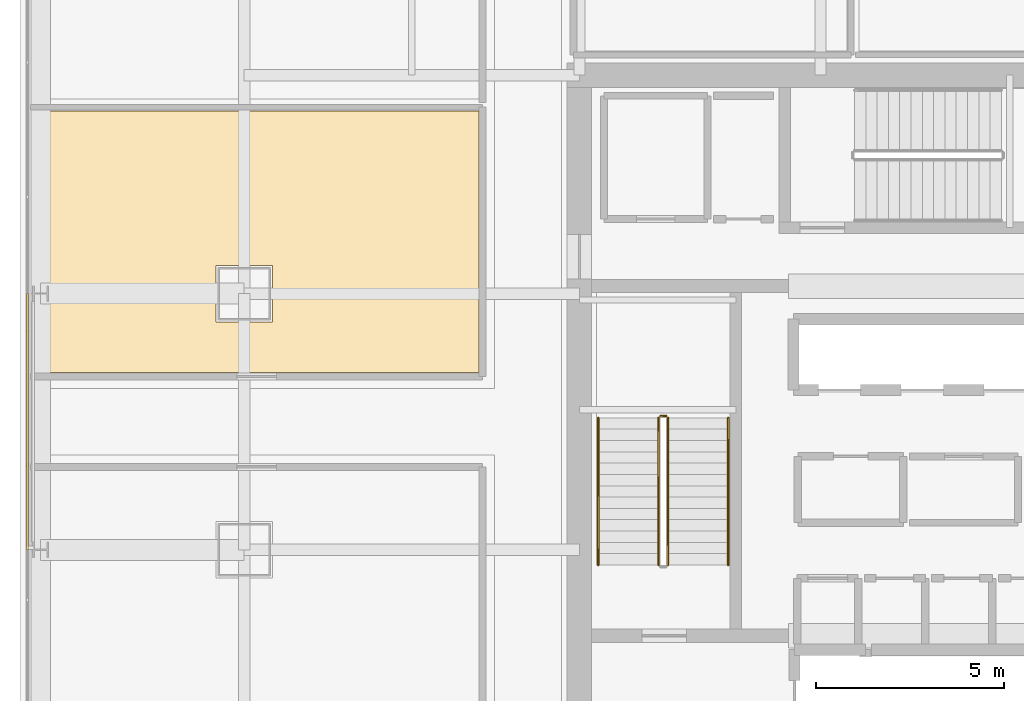
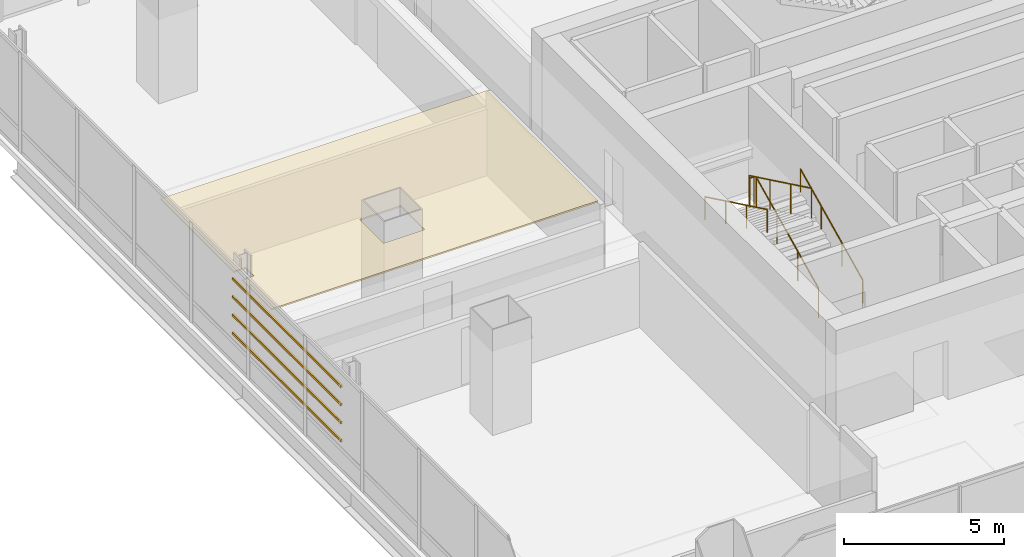
# One storey, part 35 of 38: 5 railings, 4 shading devices, 1 covering.
"""IFC4 building model written with IfcOpenShell, lengths in metres."""

from ifc_helpers import new_model, si_unit, direction, frame, origin, origin_2d, place, context, subcontext, project, spatial, polyline, hollow_rectangle, circle, outline, extrude, material, layer, layer_set, material_profile, profile_set, type_object, element, save


model = new_model("IFC4")

# Units and contexts
model_context = context("Model", 3, precision=1e-05, world=origin(), true_north=direction((0.0, 1.0)))
body_context = subcontext(model_context, "Body", "Model", "MODEL_VIEW")
ifc_project = project(units=[si_unit("LENGTHUNIT", "METRE"), si_unit("AREAUNIT", "SQUARE_METRE"), si_unit("VOLUMEUNIT", "CUBIC_METRE"), si_unit("PLANEANGLEUNIT", "RADIAN"), si_unit("MASSUNIT", "GRAM", prefix="KILO")], contexts=[model_context])

# Site, building, storey
site_placement = place(None, origin())
site = spatial("IfcSite", under=ifc_project, at=site_placement, CompositionType="ELEMENT")
building_placement = place(site_placement, origin())
building = spatial("IfcBuilding", under=site, at=building_placement, Name="Punatoya Terracotta Tower", CompositionType="ELEMENT")
storey_placement = place(building_placement, frame((0.0, 0.0, 151.949951171875)))
storey = spatial("IfcBuildingStorey", under=building, at=storey_placement, Name="L35", CompositionType="ELEMENT", Elevation=151.949951171875)

# Covering
ifc_material_1 = material(Name="Acoustic Mineral Fibre Ceiling")
ifc_layer = layer(ifc_material_1, 0.06005859375)
ifc_layer_set = layer_set([ifc_layer], Name="Acoustic Mineral Fibre Ceiling")
covering_type = type_object("IfcCoveringType", Name="COV-CEIL-60", PredefinedType="CEILING", material=ifc_layer_set)
covering_placement = place(storey_placement, frame((0.0, 0.0, 3.219970703125)))
element("IfcCovering", 1, at=covering_placement, inside=storey, type_object=covering_type, Name="L35 Open-Plan Environmental Research Laboratory Acoustic Ceiling", PredefinedType="CEILING", context=body_context, shape_type="SweptSolid", body=[
    extrude(outline(polyline([(-12.8701171875, 1.300048828125), (-12.8701171875, 8.2490234375), (-24.669921875, 8.2490234375), (-24.669921875, 3.66259765625), (-24.24560546875, 3.66259765625), (-24.24560546875, 3.137451171875), (-24.669921875, 3.137451171875), (-24.669921875, 1.300048828125), (-12.8701171875, 1.300048828125)]), holes=[polyline([(-18.35009765625, 4.14990234375), (-18.35009765625, 2.64990234375), (-19.85009765625, 2.64990234375), (-19.85009765625, 4.14990234375), (-18.35009765625, 4.14990234375)])]), origin(), (0.0, 0.0, 1.0), 0.06005859375),
])

# Railings
ifc_material_2 = material(Name="Steel S355", Category="steel")
railing_type_1 = type_object("IfcRailingType", Name="RLG-GRD-1150", PredefinedType="GUARDRAIL", material=ifc_material_2)
railing_1_placement = place(storey_placement, frame((-7.85009765625, -3.800048828125, 0.144775390625)))
element("IfcRailing", 2, at=railing_1_placement, inside=storey, type_object=railing_type_1, Name="L35 ST-1 stair guard 1", PredefinedType="GUARDRAIL", context=body_context, shape_type="SweptSolid", body=[
    extrude(circle(Radius=0.02392578125, at=origin_2d()), frame((0.0, 0.0, 1.1259765625), z_axis=(0.0, 0.900773802044, 0.434288564841), x_axis=(-1.0, 0.0, 0.0)), (0.0, 0.0, 1.0), 4.329833984375),
    extrude(circle(Radius=0.02099609375, at=origin_2d()), origin(), (0.0, 0.0, 1.0), 1.101806640625),
    extrude(circle(Radius=0.02099609375, at=origin_2d()), frame((0.0, 1.300048828125, 0.626708984375)), (0.0, 0.0, 1.0), 1.101806640625),
    extrude(circle(Radius=0.02099609375, at=origin_2d()), frame((0.0, 2.60009765625, 1.253662109375)), (0.0, 0.0, 1.0), 1.101806640625),
    extrude(circle(Radius=0.02099609375, at=origin_2d()), frame((0.0, 3.900146484375, 1.88037109375)), (0.0, 0.0, 1.0), 1.101806640625),
])
railing_2_placement = place(storey_placement, frame((-7.89990234375, 0.14990234375, 2.025146484375)))
element("IfcRailing", 3, at=railing_2_placement, inside=storey, type_object=railing_type_1, Name="L35 ST-1 stair guard 2", PredefinedType="GUARDRAIL", context=body_context, shape_type="SweptSolid", body=[
    extrude(circle(Radius=0.02392578125, at=origin_2d()), frame((0.0, 0.0, 1.1259765625), z_axis=(-1.0, 0.0, 0.0), x_axis=(0.0, -1.0, 0.0)), (0.0, 0.0, 1.0), 0.150146484375),
    extrude(circle(Radius=0.02099609375, at=origin_2d()), origin(), (0.0, 0.0, 1.0), 1.101806640625),
    extrude(circle(Radius=0.02099609375, at=origin_2d()), frame((-0.150146484375, 0.0, 0.0)), (0.0, 0.0, 1.0), 1.101806640625),
])
railing_3_placement = place(storey_placement, frame((-8.10009765625, 0.10009765625, 2.169677734375)))
element("IfcRailing", 4, at=railing_3_placement, inside=storey, type_object=railing_type_1, Name="L35 ST-1 stair guard 3", PredefinedType="GUARDRAIL", context=body_context, shape_type="SweptSolid", body=[
    extrude(circle(Radius=0.02392578125, at=origin_2d()), frame((0.0, 0.0, 1.1259765625), z_axis=(0.0, -0.900773802044, 0.434288564841), x_axis=(1.0, 0.0, 0.0)), (0.0, 0.0, 1.0), 4.329833984375),
    extrude(circle(Radius=0.02099609375, at=origin_2d()), origin(), (0.0, 0.0, 1.0), 1.101806640625),
    extrude(circle(Radius=0.02099609375, at=origin_2d()), frame((0.0, -1.300048828125, 0.626708984375)), (0.0, 0.0, 1.0), 1.101806640625),
    extrude(circle(Radius=0.02099609375, at=origin_2d()), frame((0.0, -2.60009765625, 1.253662109375)), (0.0, 0.0, 1.0), 1.101806640625),
    extrude(circle(Radius=0.02099609375, at=origin_2d()), frame((0.0, -3.900146484375, 1.88037109375)), (0.0, 0.0, 1.0), 1.101806640625),
])
railing_type_2 = type_object("IfcRailingType", Name="RLG-HND-900", PredefinedType="HANDRAIL", material=ifc_material_2)
railing_4_placement = place(storey_placement, frame((-6.25, -3.800048828125, 0.144775390625)))
element("IfcRailing", 5, at=railing_4_placement, inside=storey, type_object=railing_type_2, Name="L35 ST-1 stair handrail 1", PredefinedType="HANDRAIL", context=body_context, shape_type="SweptSolid", body=[
    extrude(circle(Radius=0.02392578125, at=origin_2d()), frame((0.0, 0.0, 0.8759765625), z_axis=(0.0, 0.900773802044, 0.434288564841), x_axis=(-1.0, 0.0, 0.0)), (0.0, 0.0, 1.0), 4.329833984375),
    extrude(circle(Radius=0.02099609375, at=origin_2d()), origin(), (0.0, 0.0, 1.0), 0.851806640625),
    extrude(circle(Radius=0.02099609375, at=origin_2d()), frame((0.0, 1.300048828125, 0.626708984375)), (0.0, 0.0, 1.0), 0.851806640625),
    extrude(circle(Radius=0.02099609375, at=origin_2d()), frame((0.0, 2.60009765625, 1.253662109375)), (0.0, 0.0, 1.0), 0.851806640625),
    extrude(circle(Radius=0.02099609375, at=origin_2d()), frame((0.0, 3.900146484375, 1.88037109375)), (0.0, 0.0, 1.0), 0.851806640625),
])
railing_5_placement = place(storey_placement, frame((-9.699951171875, 0.10009765625, 2.169677734375)))
element("IfcRailing", 6, at=railing_5_placement, inside=storey, type_object=railing_type_2, Name="L35 ST-1 stair handrail 2", PredefinedType="HANDRAIL", context=body_context, shape_type="SweptSolid", body=[
    extrude(circle(Radius=0.02392578125, at=origin_2d()), frame((0.0, 0.0, 0.8759765625), z_axis=(0.0, -0.900773802044, 0.434288564841), x_axis=(1.0, 0.0, 0.0)), (0.0, 0.0, 1.0), 4.329833984375),
    extrude(circle(Radius=0.02099609375, at=origin_2d()), origin(), (0.0, 0.0, 1.0), 0.851806640625),
    extrude(circle(Radius=0.02099609375, at=origin_2d()), frame((0.0, -1.300048828125, 0.626708984375)), (0.0, 0.0, 1.0), 0.851806640625),
    extrude(circle(Radius=0.02099609375, at=origin_2d()), frame((0.0, -2.60009765625, 1.253662109375)), (0.0, 0.0, 1.0), 0.851806640625),
    extrude(circle(Radius=0.02099609375, at=origin_2d()), frame((0.0, -3.900146484375, 1.88037109375)), (0.0, 0.0, 1.0), 0.851806640625),
])

# Shading devices
ifc_material_3 = material(Name="Architectural Fired Terracotta", Category="masonry")
ifc_material_profile = material_profile(ifc_material_3, hollow_rectangle(XDim=0.06005859375, YDim=0.090087890625, WallThickness=0.013916015625, at=origin_2d()))
ifc_profile_set = profile_set([ifc_material_profile], Name="Architectural Fired Terracotta")
shading_device_type = type_object("IfcShadingDeviceType", Name="SHD-JALI-90", PredefinedType="JALOUSIE", material=ifc_profile_set)
for number, where, z_axis, x_axis, name in (
    (7, (-24.8525390625, -3.39990234375, 1.150146484375), (0.0, 1.0, 0.0), (-1.0, 0.0, 0.0), "L35 Fired Terracotta Baguette Louvre BAG-L35-W-01"),
    (8, (-24.8525390625, -3.39990234375, 1.84326171875), (0.0, 1.0, 0.0), (-1.0, 0.0, 0.0), "L35 Fired Terracotta Baguette Louvre BAG-L35-W-02"),
    (9, (-24.8525390625, -3.39990234375, 2.536865234375), (0.0, 1.0, 0.0), (-1.0, 0.0, 0.0), "L35 Fired Terracotta Baguette Louvre BAG-L35-W-03"),
    (10, (-24.8525390625, -3.39990234375, 3.22998046875), (0.0, 1.0, 0.0), (-1.0, 0.0, 0.0), "L35 Fired Terracotta Baguette Louvre BAG-L35-W-04"),
):
    element("IfcShadingDevice", number, at=place(storey_placement, frame(where, z_axis=z_axis, x_axis=x_axis)), inside=storey, type_object=shading_device_type, Name=name, PredefinedType="JALOUSIE", context=body_context, shape_type="SweptSolid", body=[
        extrude(hollow_rectangle(XDim=0.06005859375, YDim=0.090087890625, WallThickness=0.013916015625, at=origin_2d()), origin(), (0.0, 0.0, 1.0), 6.7998046875),
    ])

save(model, "model.ifc")
